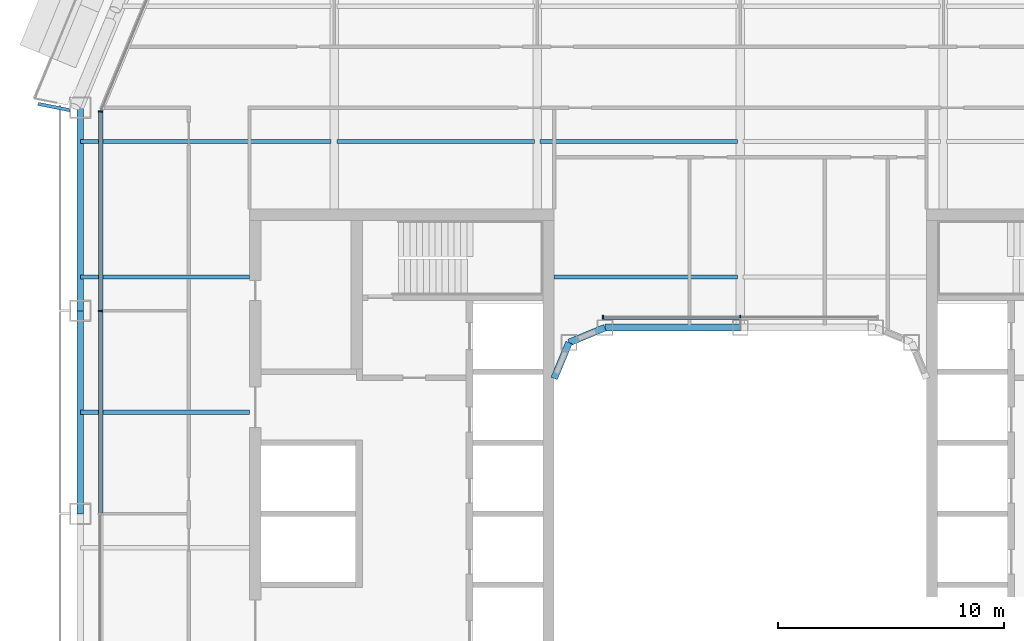
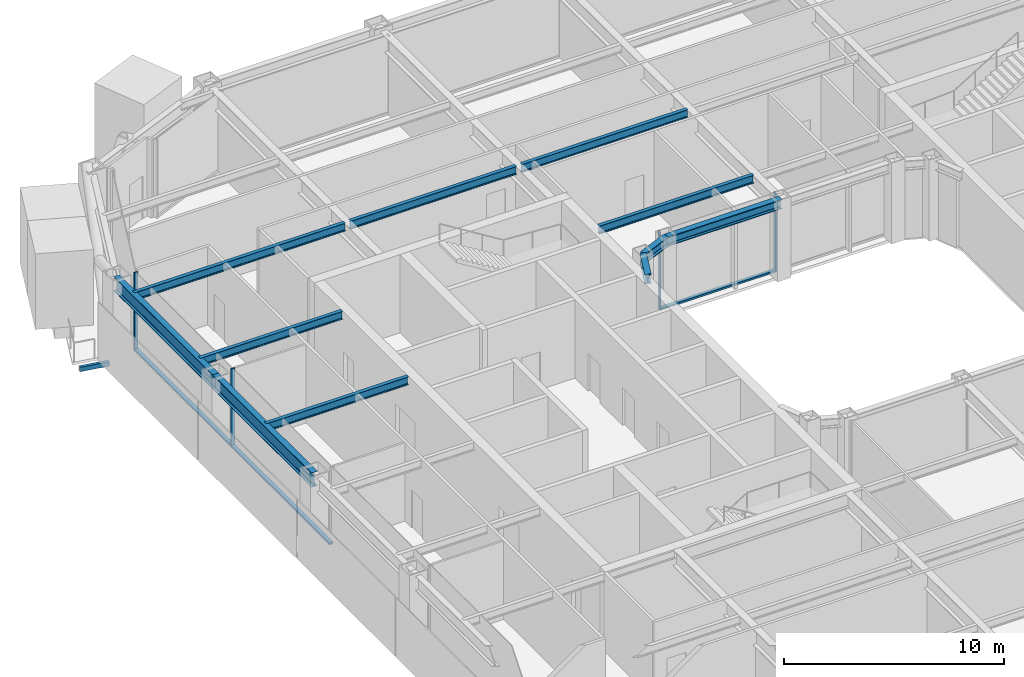
# One storey, part 6 of 23: 12 beams, 7 members, 2 elements without a shape of their own.
"""IFC4 building model written with IfcOpenShell, lengths in metres."""

from ifc_helpers import new_model, si_unit, direction, frame, origin, origin_2d, place, context, subcontext, project, spatial, rectangle, hollow_rectangle, i_section, extrude, material, layer, layer_set, material_profile, profile_set, type_object, element, aggregate, save


model = new_model("IFC4")

# Units and contexts
model_context = context("Model", 3, precision=1e-05, world=origin(), true_north=direction((0.0, 1.0)))
body_context = subcontext(model_context, "Body", "Model", "MODEL_VIEW")
ifc_project = project(units=[si_unit("LENGTHUNIT", "METRE"), si_unit("AREAUNIT", "SQUARE_METRE"), si_unit("VOLUMEUNIT", "CUBIC_METRE"), si_unit("PLANEANGLEUNIT", "RADIAN"), si_unit("MASSUNIT", "GRAM", prefix="KILO")], contexts=[model_context])

# Site, building, storey
site_placement = place(None, origin())
site = spatial("IfcSite", under=ifc_project, at=site_placement, CompositionType="ELEMENT")
building_placement = place(site_placement, origin())
building = spatial("IfcBuilding", under=site, at=building_placement, Name="Siwar Civic Tower", CompositionType="ELEMENT")
storey_placement = place(building_placement, frame((0.0, 0.0, 118.199951171875)))
storey = spatial("IfcBuildingStorey", under=building, at=storey_placement, Name="L25", CompositionType="ELEMENT", Elevation=118.199951171875)

# Beam
ifc_material_1 = material(Name="Steel S355", Category="steel")
ifc_material_profile_1 = material_profile(ifc_material_1, hollow_rectangle(XDim=0.14990234375, YDim=0.25, WallThickness=0.010009765625, at=origin_2d()), Name="RHS250x150x10")
ifc_profile_set_1 = profile_set([ifc_material_profile_1], Name="Steel S355")
beam_type_1 = type_object("IfcBeamType", Name="ENV-BALCONY ARM", PredefinedType="BEAM", material=ifc_profile_set_1)
beam_1_placement = place(storey_placement, frame((-29.72509765625, 17.890625, -0.27490234375), z_axis=(-0.980780459814, 0.195114555191, 0.0), x_axis=(-0.195114555191, -0.980780459814, 0.0)))
element("IfcBeam", 1, at=beam_1_placement, inside=storey, type_object=beam_type_1, Name="Balcony cantilever beam NW 3", PredefinedType="BEAM", context=body_context, shape_type="SweptSolid", body=[
    extrude(hollow_rectangle(XDim=0.14990234375, YDim=0.25, WallThickness=0.010009765625, at=origin_2d()), origin(), (0.0, 0.0, 1.0), 1.406494140625),
])

# Curtain wall, members
ifc_material_2 = material(Name="Aluminium and glass", Category="aluminium")
ifc_layer_1 = layer(ifc_material_2, 0.199951171875)
ifc_layer_set_1 = layer_set([ifc_layer_1], Name="Aluminium and glass")
curtain_wall_type_1 = type_object("IfcCurtainWallType", Name="ENV-CW-B", PredefinedType="NOTDEFINED", material=ifc_layer_set_1)
curtain_wall_1_placement = place(storey_placement, origin())
curtain_wall_1 = element("IfcCurtainWall", 2, at=curtain_wall_1_placement, inside=storey, type_object=curtain_wall_type_1, Name="Curtain wall B W", PredefinedType="NOTDEFINED")
ifc_material_3 = material(Name="Aluminium 6063-T6", Category="aluminium")
ifc_material_profile_2 = material_profile(ifc_material_3, rectangle(XDim=0.199951171875, YDim=0.06494140625, at=origin_2d()), Name="AL 200x65")
ifc_profile_set_2 = profile_set([ifc_material_profile_2], Name="Aluminium 6063-T6")
member_type_1 = type_object("IfcMemberType", Name="ENV-MULLION-B", PredefinedType="MULLION", material=ifc_profile_set_2)
member_1_placement = place(storey_placement, frame((-28.35009765625, 17.821044921875, 0.0), z_axis=(0.0, 0.0, 1.0), x_axis=(1.0, 0.0, 0.0)))
member_1 = element("IfcMember", 3, at=member_1_placement, type_object=member_type_1, Name="Mullion B W 1", PredefinedType="MULLION", context=body_context, shape_type="SweptSolid", body=[
    extrude(rectangle(XDim=0.199951171875, YDim=0.06494140625, at=origin_2d()), origin(), (0.0, 0.0, 1.0), 4.35009765625),
])
member_2_placement = place(storey_placement, frame((-28.35009765625, 9.0, 0.0), z_axis=(0.0, 0.0, 1.0), x_axis=(1.0, 0.0, 0.0)))
member_2 = element("IfcMember", 4, at=member_2_placement, type_object=member_type_1, Name="Mullion B W 2", PredefinedType="MULLION", context=body_context, shape_type="SweptSolid", body=[
    extrude(rectangle(XDim=0.199951171875, YDim=0.06494140625, at=origin_2d()), origin(), (0.0, 0.0, 1.0), 4.35009765625),
])

ifc_material_4 = material(Name="Aluminium and glass", Category="aluminium")
ifc_layer_2 = layer(ifc_material_4, 0.179931640625)
ifc_layer_set_2 = layer_set([ifc_layer_2], Name="Aluminium and glass")
curtain_wall_type_2 = type_object("IfcCurtainWallType", Name="ENV-CW-W", PredefinedType="NOTDEFINED", material=ifc_layer_set_2)
curtain_wall_2_placement = place(storey_placement, origin())
curtain_wall_2 = element("IfcCurtainWall", 5, at=curtain_wall_2_placement, inside=storey, type_object=curtain_wall_type_2, Name="Curtain wall W WN", PredefinedType="NOTDEFINED")
ifc_material_5 = material(Name="Aluminium 6063-T6", Category="aluminium")
ifc_material_profile_3 = material_profile(ifc_material_5, rectangle(XDim=0.179931640625, YDim=0.06005859375, at=origin_2d()), Name="AL 180x60")
ifc_profile_set_3 = profile_set([ifc_material_profile_3], Name="Aluminium 6063-T6")
member_type_2 = type_object("IfcMemberType", Name="ENV-MULLION-W", PredefinedType="MULLION", material=ifc_profile_set_3)
member_3_placement = place(storey_placement, frame((0.0, 8.7099609375, 0.0), z_axis=(0.0, 0.0, 1.0), x_axis=(0.0, -1.0, 0.0)))
member_3 = element("IfcMember", 6, at=member_3_placement, type_object=member_type_2, Name="Mullion W WN 2", PredefinedType="MULLION", context=body_context, shape_type="SweptSolid", body=[
    extrude(rectangle(XDim=0.179931640625, YDim=0.06005859375, at=origin_2d()), origin(), (0.0, 0.0, 1.0), 4.35009765625),
])
member_4_placement = place(storey_placement, frame((-6.091552734375, 8.7099609375, 0.0), z_axis=(0.0, 0.0, 1.0), x_axis=(0.0, -1.0, 0.0)))
member_4 = element("IfcMember", 7, at=member_4_placement, type_object=member_type_2, Name="Mullion W WN 3", PredefinedType="MULLION", context=body_context, shape_type="SweptSolid", body=[
    extrude(rectangle(XDim=0.179931640625, YDim=0.06005859375, at=origin_2d()), origin(), (0.0, 0.0, 1.0), 4.35009765625),
])

# Member
ifc_material_6 = material(Name="Aluminium 6063-T6", Category="aluminium")
ifc_material_profile_4 = material_profile(ifc_material_6, rectangle(XDim=0.199951171875, YDim=0.110107421875, at=origin_2d()), Name="AL 200x110")
ifc_profile_set_4 = profile_set([ifc_material_profile_4], Name="Aluminium 6063-T6")
member_type_3 = type_object("IfcMemberType", Name="ENV-TRANSOM-B", PredefinedType="USERDEFINED", material=ifc_profile_set_4)
member_5_placement = place(storey_placement, frame((-28.35009765625, 17.78857421875, 0.054931640625), z_axis=(0.0, -1.0, 0.0), x_axis=(1.0, 0.0, 0.0)))
member_5 = element("IfcMember", 8, at=member_5_placement, type_object=member_type_3, Name="Transom B W 1", ObjectType="TRANSOM", PredefinedType="USERDEFINED", context=body_context, shape_type="SweptSolid", body=[
    extrude(rectangle(XDim=0.199951171875, YDim=0.110107421875, at=origin_2d()), origin(), (0.0, 0.0, 1.0), 8.756103515625),
])

member_6_placement = place(storey_placement, frame((-28.35009765625, 8.967529296875, 0.054931640625), z_axis=(0.0, -1.0, 0.0), x_axis=(1.0, 0.0, 0.0)))
member_6 = element("IfcMember", 9, at=member_6_placement, type_object=member_type_3, Name="Transom B W 2", ObjectType="TRANSOM", PredefinedType="USERDEFINED", context=body_context, shape_type="SweptSolid", body=[
    extrude(rectangle(XDim=0.199951171875, YDim=0.110107421875, at=origin_2d()), origin(), (0.0, 0.0, 1.0), 8.93505859375),
])

aggregate(curtain_wall_1, [member_1, member_2, member_5, member_6])

ifc_material_7 = material(Name="Aluminium 6063-T6", Category="aluminium")
ifc_material_profile_5 = material_profile(ifc_material_7, rectangle(XDim=0.179931640625, YDim=0.10009765625, at=origin_2d()), Name="AL 180x100")
ifc_profile_set_5 = profile_set([ifc_material_profile_5], Name="Aluminium 6063-T6")
member_type_4 = type_object("IfcMemberType", Name="ENV-TRANSOM-W", PredefinedType="USERDEFINED", material=ifc_profile_set_5)
member_7_placement = place(storey_placement, frame((-0.030029296875, 8.7099609375, 0.050048828125), z_axis=(-1.0, 0.0, 0.0), x_axis=(0.0, -1.0, 0.0)))
member_7 = element("IfcMember", 10, at=member_7_placement, type_object=member_type_4, Name="Transom W WN 2", ObjectType="TRANSOM", PredefinedType="USERDEFINED", context=body_context, shape_type="SweptSolid", body=[
    extrude(rectangle(XDim=0.179931640625, YDim=0.10009765625, at=origin_2d()), origin(), (0.0, 0.0, 1.0), 6.031494140625),
])

aggregate(curtain_wall_2, [member_3, member_4, member_7])

# Beams
ifc_material_8 = material(Name="Steel S355", Category="steel")
ifc_material_profile_6 = material_profile(ifc_material_8, i_section(OverallWidth=0.18994140625, OverallDepth=0.449951171875, WebThickness=0.009521484375, FlangeThickness=0.0146484375, FilletRadius=0.02099609375, at=origin_2d()), Name="IPE450")
ifc_profile_set_6 = profile_set([ifc_material_profile_6], Name="Steel S355")
beam_type_2 = type_object("IfcBeamType", Name="STR-FB-IPE450", PredefinedType="JOIST", material=ifc_profile_set_6)
for number, where, z_axis, x_axis, name in (
    (11, (-29.25, 4.5, 4.125), (1.0, 0.0, 0.0), (0.0, 1.0, 0.0), "L25/bm/F025"),
    (12, (-29.25, 10.5, 4.125), (1.0, 0.0, 0.0), (0.0, 1.0, 0.0), "L25/bm/F027"),
):
    element("IfcBeam", number, at=place(storey_placement, frame(where, z_axis=z_axis, x_axis=x_axis)), inside=storey, type_object=beam_type_2, Name=name, PredefinedType="JOIST", context=body_context, shape_type="SweptSolid", body=[
        extrude(i_section(OverallWidth=0.18994140625, OverallDepth=0.449951171875, WebThickness=0.009521484375, FlangeThickness=0.0146484375, FilletRadius=0.02099609375, at=origin_2d()), origin(), (0.0, 0.0, 1.0), 7.5),
    ])
beam_2_placement = place(storey_placement, frame((-8.25, 10.5, 4.125), z_axis=(1.0, 0.0, 0.0), x_axis=(0.0, 1.0, 0.0)))
element("IfcBeam", 13, at=beam_2_placement, inside=storey, type_object=beam_type_2, Name="L25/bm/F028", PredefinedType="JOIST", context=body_context, shape_type="SweptSolid", body=[
    extrude(i_section(OverallWidth=0.18994140625, OverallDepth=0.449951171875, WebThickness=0.009521484375, FlangeThickness=0.0146484375, FilletRadius=0.02099609375, at=origin_2d()), origin(), (0.0, 0.0, 1.0), 8.1201171875),
])
beam_3_placement = place(storey_placement, frame((-29.25, 16.5, 4.125), z_axis=(1.0, 0.0, 0.0), x_axis=(0.0, 1.0, 0.0)))
element("IfcBeam", 14, at=beam_3_placement, inside=storey, type_object=beam_type_2, Name="L25/bm/F031", PredefinedType="JOIST", context=body_context, shape_type="SweptSolid", body=[
    extrude(i_section(OverallWidth=0.18994140625, OverallDepth=0.449951171875, WebThickness=0.009521484375, FlangeThickness=0.0146484375, FilletRadius=0.02099609375, at=origin_2d()), origin(), (0.0, 0.0, 1.0), 11.1201171875),
])
for number, where, z_axis, x_axis, name in (
    (15, (-17.8701171875, 16.5, 4.125), (1.0, 0.0, 0.0), (0.0, 1.0, 0.0), "L25/bm/F032"),
    (16, (-8.8701171875, 16.5, 4.125), (1.0, 0.0, 0.0), (0.0, 1.0, 0.0), "L25/bm/F033"),
):
    element("IfcBeam", number, at=place(storey_placement, frame(where, z_axis=z_axis, x_axis=x_axis)), inside=storey, type_object=beam_type_2, Name=name, PredefinedType="JOIST", context=body_context, shape_type="SweptSolid", body=[
        extrude(i_section(OverallWidth=0.18994140625, OverallDepth=0.449951171875, WebThickness=0.009521484375, FlangeThickness=0.0146484375, FilletRadius=0.02099609375, at=origin_2d()), origin(), (0.0, 0.0, 1.0), 8.740234375),
    ])
ifc_material_9 = material(Name="Steel S355", Category="steel")
ifc_material_profile_7 = material_profile(ifc_material_9, i_section(OverallWidth=0.305908203125, OverallDepth=0.52392578125, WebThickness=0.02099609375, FlangeThickness=0.0400390625, FilletRadius=0.027099609375, at=origin_2d()), Name="HEM500")
ifc_profile_set_7 = profile_set([ifc_material_profile_7], Name="Steel S355")
beam_type_3 = type_object("IfcBeamType", Name="STR-RB-HEM500", PredefinedType="BEAM", material=ifc_profile_set_7)
beam_4_placement = place(storey_placement, frame((-7.591064453125, 7.591064453125, 4.088134765625), z_axis=(0.923901072997, 0.382631424892, 0.0), x_axis=(-0.382631424892, 0.923901072997, 0.0)))
element("IfcBeam", 17, at=beam_4_placement, inside=storey, type_object=beam_type_3, Name="L25/bm/RN0", PredefinedType="BEAM", context=body_context, shape_type="SweptSolid", body=[
    extrude(i_section(OverallWidth=0.305908203125, OverallDepth=0.52392578125, WebThickness=0.02099609375, FlangeThickness=0.0400390625, FilletRadius=0.027099609375, at=origin_2d()), origin(), (0.0, 0.0, 1.0), 1.72216796875),
])
beam_5_placement = place(storey_placement, frame((-6.0, 8.25, 4.088134765625), z_axis=(1.0, 0.0, 0.0), x_axis=(0.0, 1.0, 0.0)))
element("IfcBeam", 18, at=beam_5_placement, inside=storey, type_object=beam_type_3, Name="L25/bm/RN1", PredefinedType="BEAM", context=body_context, shape_type="SweptSolid", body=[
    extrude(i_section(OverallWidth=0.305908203125, OverallDepth=0.52392578125, WebThickness=0.02099609375, FlangeThickness=0.0400390625, FilletRadius=0.027099609375, at=origin_2d()), origin(), (0.0, 0.0, 1.0), 6.0),
])
beam_6_placement = place(storey_placement, frame((-7.591064453125, 7.591064453125, 4.088134765625), z_axis=(-0.382631424892, -0.923901072997, 0.0), x_axis=(0.923901072997, -0.382631424892, 0.0)))
element("IfcBeam", 19, at=beam_6_placement, inside=storey, type_object=beam_type_3, Name="L25/bm/RNEW", PredefinedType="BEAM", context=body_context, shape_type="SweptSolid", body=[
    extrude(i_section(OverallWidth=0.305908203125, OverallDepth=0.52392578125, WebThickness=0.02099609375, FlangeThickness=0.0400390625, FilletRadius=0.027099609375, at=origin_2d()), origin(), (0.0, 0.0, 1.0), 1.72216796875),
])
ifc_material_10 = material(Name="Steel S355", Category="steel")
ifc_material_profile_8 = material_profile(ifc_material_10, i_section(OverallWidth=0.300048828125, OverallDepth=0.800048828125, WebThickness=0.017578125, FlangeThickness=0.032958984375, FilletRadius=0.030029296875, at=origin_2d()), Name="HEB800")
ifc_profile_set_8 = profile_set([ifc_material_profile_8], Name="Steel S355")
beam_type_4 = type_object("IfcBeamType", Name="STR-SB-HEB800", PredefinedType="BEAM", material=ifc_profile_set_8)
for number, where, z_axis, x_axis, name in (
    (20, (-29.25, 18.0, 3.949951171875), (0.0, -1.0, 0.0), (1.0, 0.0, 0.0), "L25/bm/SW-0"),
    (21, (-29.25, 9.0, 3.949951171875), (0.0, -1.0, 0.0), (1.0, 0.0, 0.0), "L25/bm/SW-1"),
):
    element("IfcBeam", number, at=place(storey_placement, frame(where, z_axis=z_axis, x_axis=x_axis)), inside=storey, type_object=beam_type_4, Name=name, PredefinedType="BEAM", context=body_context, shape_type="SweptSolid", body=[
        extrude(i_section(OverallWidth=0.300048828125, OverallDepth=0.800048828125, WebThickness=0.017578125, FlangeThickness=0.032958984375, FilletRadius=0.030029296875, at=origin_2d()), origin(), (0.0, 0.0, 1.0), 9.0),
    ])

save(model, "model.ifc")
